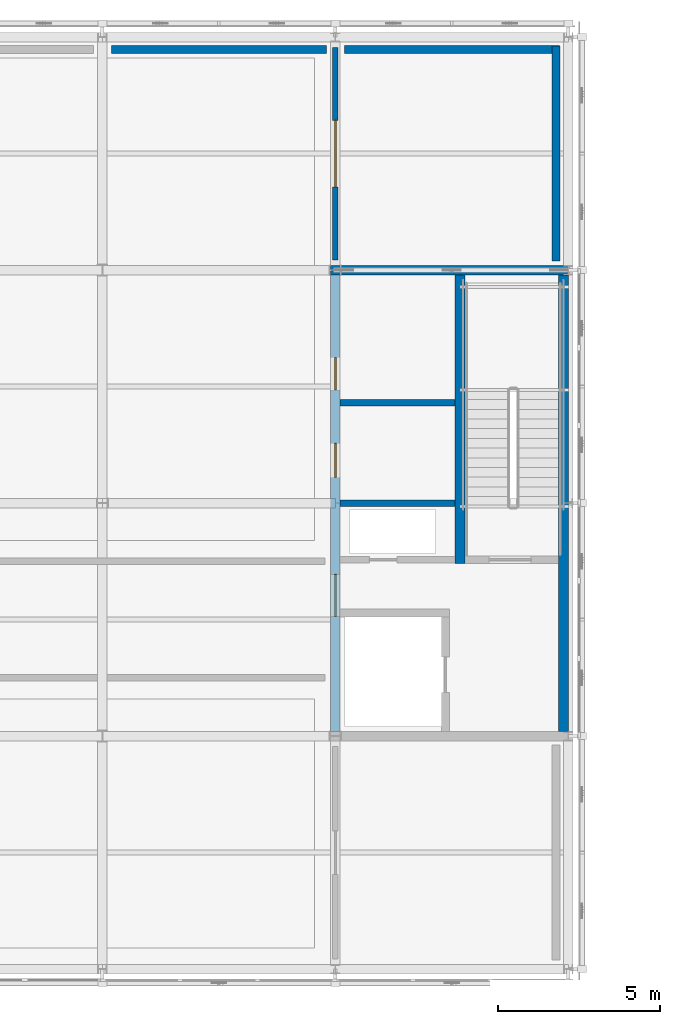
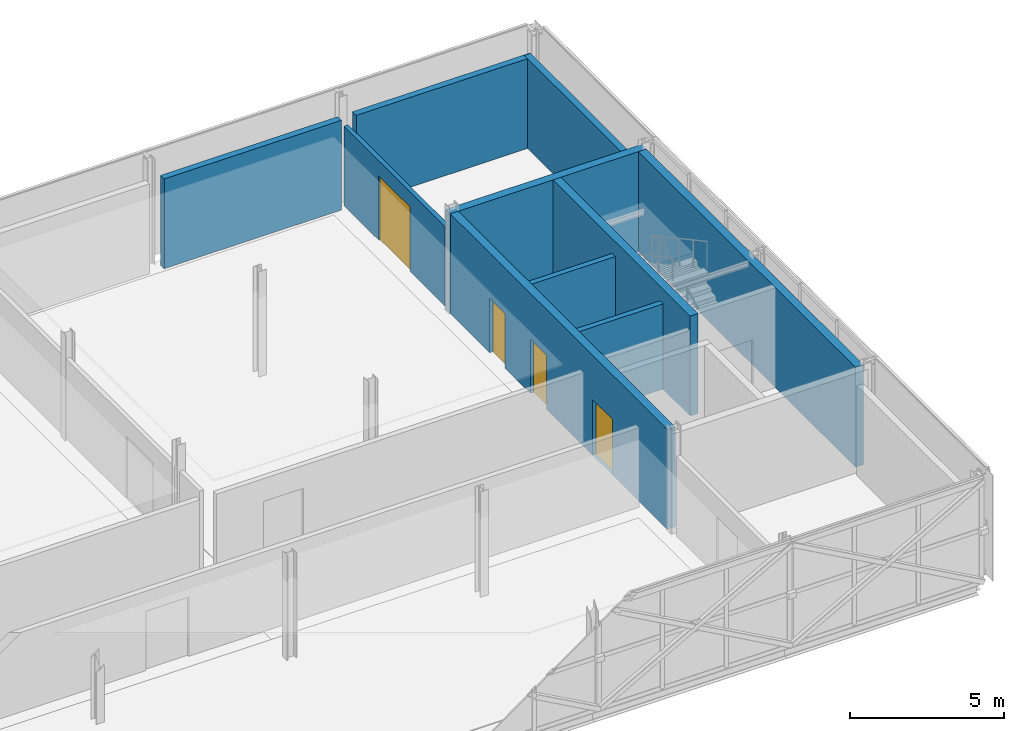
# One storey, part 90 of 103: 10 walls, 4 doors, 4 openings.
"""IFC4 building model written with IfcOpenShell, lengths in metres."""

import ifcopenshell
import ifcopenshell.guid

model = None  # the IFC model being written
_history = None  # IfcOwnerHistory: only IFC2X3 demands one
_inside = {}  # id of a spatial element -> (the spatial element, [elements in it])
_under = {}  # id of a project, library or spatial element -> (it, [spatial elements below it])
_declared = {}  # id of a project -> (the project, [libraries it declares])
_typed = {}  # id of a type object -> (the type object, [elements of that type])
_made_of = {}  # id of a material, layer set ... -> (it, [elements and type objects made of it])


def new_model(schema):
    """Start an empty IFC model of exactly this schema.

    Asked for "IFC4X3", IfcOpenShell would pick the latest addendum, in which some entities
    have other attributes; the version numbers below select the first issue.
    IFC2X3 requires an IfcOwnerHistory on every rooted entity: one is made here for all.
    """
    global model, _history
    if schema == "IFC4X3":
        model = ifcopenshell.file(schema_version=(4, 3, 0, 0))
    else:
        model = ifcopenshell.file(schema=schema)
    _inside.clear()
    _under.clear()
    _declared.clear()
    _typed.clear()
    _made_of.clear()
    _history = None
    if model.schema == "IFC2X3":
        org = make("IfcOrganization", Name="unknown")
        user = make(
            "IfcPersonAndOrganization",
            ThePerson=make("IfcPerson", FamilyName="unknown"),
            TheOrganization=org,
        )
        app = make(
            "IfcApplication",
            ApplicationDeveloper=org,
            Version="unknown",
            ApplicationFullName="unknown",
            ApplicationIdentifier="unknown",
        )
        _history = make(
            "IfcOwnerHistory",
            OwningUser=user,
            OwningApplication=app,
            ChangeAction="ADDED",
            CreationDate=0,
        )
    return model


def make(cls, **values):
    """One entity of the class cls with the attributes given. An attribute that is None is left unset."""
    return model.create_entity(
        cls, **{name: value for name, value in values.items() if value is not None}
    )


def rooted(cls, **values):
    """An entity with a GlobalId (a new one), such as an element, a storey or a relation."""
    return make(cls, GlobalId=ifcopenshell.guid.new(), OwnerHistory=_history, **values)


def si_unit(unit_type, name, prefix=None):
    """IfcSIUnit, for example si_unit("LENGTHUNIT", "METRE", prefix="MILLI")."""
    return make("IfcSIUnit", UnitType=unit_type, Prefix=prefix, Name=name)


def assignment(units):
    """IfcUnitAssignment: the units of a project."""
    return None if units is None else make("IfcUnitAssignment", Units=units)


def point(xyz):
    """IfcCartesianPoint."""
    return None if xyz is None else make("IfcCartesianPoint", Coordinates=xyz)


def direction(xyz):
    """IfcDirection."""
    return None if xyz is None else make("IfcDirection", DirectionRatios=xyz)


def frame(location, z_axis=None, x_axis=None):
    """IfcAxis2Placement3D, a coordinate frame: its origin and axes. An axis left out is left unset."""
    return make(
        "IfcAxis2Placement3D",
        Location=point(location),
        Axis=direction(z_axis),
        RefDirection=direction(x_axis),
    )


def frame_2d(location, x_axis=None):
    """IfcAxis2Placement2D, a coordinate frame in the plane: its origin and x axis."""
    return make(
        "IfcAxis2Placement2D", Location=point(location), RefDirection=direction(x_axis)
    )


def origin():
    """The frame at (0, 0, 0) with its axes left unset."""
    return frame((0.0, 0.0, 0.0))


def place(relative_to, where):
    """IfcLocalPlacement: puts the frame where relative to a parent placement (None: the world)."""
    return make(
        "IfcLocalPlacement", PlacementRelTo=relative_to, RelativePlacement=where
    )


def context(
    kind, dimensions, precision=None, world=None, true_north=None, identifier=None
):
    """IfcGeometricRepresentationContext, for example the 3D "Model" context."""
    return make(
        "IfcGeometricRepresentationContext",
        ContextIdentifier=identifier,
        ContextType=kind,
        CoordinateSpaceDimension=dimensions,
        Precision=precision,
        WorldCoordinateSystem=world,
        TrueNorth=true_north,
    )


def subcontext(parent, identifier, kind, view, scale=None):
    """IfcGeometricRepresentationSubContext, for example "Body" below "Model"."""
    return make(
        "IfcGeometricRepresentationSubContext",
        ContextIdentifier=identifier,
        ContextType=kind,
        ParentContext=parent,
        TargetScale=scale,
        TargetView=view,
    )


def project(units=None, contexts=None):
    """IfcProject with its units and contexts."""
    return rooted(
        "IfcProject",
        Name="project",
        RepresentationContexts=contexts,
        UnitsInContext=assignment(units),
    )


def spatial(cls, under=None, at=None, **own):
    """A site, building, storey or space (cls), placed at a placement, below another one or the project."""
    s = rooted(cls, ObjectPlacement=at, **own)
    if under is not None:
        _under.setdefault(under.id(), (under, []))[1].append(s)
    return s


def profile(cls, at=None, kind="AREA", **sizes):
    """A parametric profile (cls). Its sizes go by their IFC names, for example OverallWidth=200.0."""
    return make(cls, ProfileType=kind, Position=at, **sizes)


def rectangle(**sizes):
    """IfcRectangleProfileDef."""
    return profile("IfcRectangleProfileDef", **sizes)


def extrude(swept, where, along, depth):
    """IfcExtrudedAreaSolid: the profile swept, set in the frame where, extruded along a direction by depth."""
    return make(
        "IfcExtrudedAreaSolid",
        SweptArea=swept,
        Position=where,
        ExtrudedDirection=direction(along),
        Depth=depth,
    )


def shape(context_of_items, identifier, shape_type, items):
    """IfcShapeRepresentation: the items that make up one representation, for example the "Body"."""
    return make(
        "IfcShapeRepresentation",
        ContextOfItems=context_of_items,
        RepresentationIdentifier=identifier,
        RepresentationType=shape_type,
        Items=items,
    )


def material(Name=None, Category=None):
    """IfcMaterial."""
    return make("IfcMaterial", Name=Name, Category=Category)


def layer(
    of_material, thickness, ventilated=None, Name=None, Category=None, Priority=None
):
    """IfcMaterialLayer: one layer of a wall or slab, of a material (None: an air gap)."""
    return make(
        "IfcMaterialLayer",
        Material=of_material,
        LayerThickness=thickness,
        IsVentilated=ventilated,
        Name=Name,
        Category=Category,
        Priority=Priority,
    )


def layer_set(layers, Name=None):
    """IfcMaterialLayerSet."""
    return make("IfcMaterialLayerSet", MaterialLayers=layers, LayerSetName=Name)


def made_of(thing, what):
    """Note that an element or type object is made of a material, layer set ...; save() writes the relation."""
    if what is not None:
        _made_of.setdefault(what.id(), (what, []))[1].append(thing)
    return thing


def type_object(cls, material=None, **own):
    """A type object (cls), such as IfcWallType, which elements share."""
    return made_of(rooted(cls, **own), material)


def element(
    cls,
    number,
    at=None,
    inside=None,
    cuts=None,
    type_object=None,
    material=None,
    context=None,
    identifier="Body",
    shape_type=None,
    held_by="IfcProductDefinitionShape",
    body=None,
    shapes=None,
    **own,
):
    """One element of the class cls, such as IfcWall. Its Tag is "e" and its number.

    at: its placement. inside: the storey or other place that contains it. cuts: it is an
    opening in that element (IfcRelVoidsElement). A single representation is given by context,
    identifier, shape_type and body (its items); several are given by shapes. held_by: the class
    of the entity that holds the representations. save() writes the other relations.
    """
    e = rooted(cls, Tag="e%d" % number, ObjectPlacement=at, **own)
    if body is not None:
        shapes = [shape(context, identifier, shape_type, body)]
    if shapes is not None:
        e.Representation = make(held_by, Representations=shapes)
    if inside is not None:
        _inside.setdefault(inside.id(), (inside, []))[1].append(e)
    if cuts is not None:
        rooted(
            "IfcRelVoidsElement", RelatingBuildingElement=cuts, RelatedOpeningElement=e
        )
    if type_object is not None:
        _typed.setdefault(type_object.id(), (type_object, []))[1].append(e)
    return made_of(e, material)


def fill(opening, filler):
    """IfcRelFillsElement: the door or window that sits in an opening."""
    return rooted(
        "IfcRelFillsElement",
        RelatingOpeningElement=opening,
        RelatedBuildingElement=filler,
    )


def aggregate(whole, parts):
    """IfcRelAggregates: a whole, such as a stair, and the parts it consists of."""
    return rooted("IfcRelAggregates", RelatingObject=whole, RelatedObjects=parts)


def save(model, path):
    """Write the relations noted so far, then the file.

    IfcRelAggregates (storeys below a building ...), IfcRelContainedInSpatialStructure (elements
    in a storey), IfcRelDefinesByType, IfcRelAssociatesMaterial and IfcRelDeclares: one each for
    every whole, place, type object, material and project.
    """
    for whole, parts in _under.values():
        aggregate(whole, parts)
    for where, things in _inside.values():
        rooted(
            "IfcRelContainedInSpatialStructure",
            RelatedElements=things,
            RelatingStructure=where,
        )
    for kind, things in _typed.values():
        rooted("IfcRelDefinesByType", RelatedObjects=things, RelatingType=kind)
    for what, things in _made_of.values():
        rooted("IfcRelAssociatesMaterial", RelatedObjects=things, RelatingMaterial=what)
    for by, libraries in _declared.values():
        rooted("IfcRelDeclares", RelatingContext=by, RelatedDefinitions=libraries)
    model.write(path)


model = new_model("IFC4")

# Units and contexts
model_context = context("Model", 3, precision=1e-05, world=origin(), true_north=direction((0.0, 1.0)))
body_context = subcontext(model_context, "Body", "Model", "MODEL_VIEW")
ifc_project = project(units=[si_unit("LENGTHUNIT", "METRE"), si_unit("AREAUNIT", "SQUARE_METRE"), si_unit("VOLUMEUNIT", "CUBIC_METRE"), si_unit("PLANEANGLEUNIT", "RADIAN"), si_unit("MASSUNIT", "GRAM", prefix="KILO")], contexts=[model_context])

# Site, building, storey
site_placement = place(None, origin())
site = spatial("IfcSite", under=ifc_project, at=site_placement, CompositionType="ELEMENT")
building_placement = place(site_placement, origin())
building = spatial("IfcBuilding", under=site, at=building_placement, Name="Zlatovets Crest Museum", CompositionType="ELEMENT")
storey_placement = place(building_placement, frame((0.0, 0.0, 12.89990234375)))
storey = spatial("IfcBuildingStorey", under=building, at=storey_placement, Name="L03", CompositionType="ELEMENT", Elevation=12.89990234375)

# Walls
ifc_material_1 = material(Name="Concrete C35/45", Category="concrete")
ifc_layer_1 = layer(ifc_material_1, 0.300048828125)
ifc_layer_set_1 = layer_set([ifc_layer_1], Name="Concrete C35/45")
wall_type_1 = type_object("IfcWallType", Name="CoreWall_SW01", PredefinedType="SHEAR", material=ifc_layer_set_1)
wall_1_placement = place(storey_placement, frame((100.64990234375, 108.0, 0.0), z_axis=(0.0, 0.0, 1.0), x_axis=(1.0, 0.0, 0.0)))
element("IfcWall", 1, at=wall_1_placement, inside=storey, type_object=wall_type_1, Name="Core C6 L03 North Shear Wall", PredefinedType="SHEAR", context=body_context, shape_type="SweptSolid", body=[
    extrude(rectangle(XDim=7.35009765625, YDim=0.300048828125, at=frame_2d((3.675048828125, 0.0))), origin(), (0.0, 0.0, 1.0), 3.960205078125),
])
wall_2_placement = place(storey_placement, frame((107.85009765625, 93.75, 0.0), z_axis=(0.0, 0.0, 1.0), x_axis=(0.0, 1.0, 0.0)))
element("IfcWall", 2, at=wall_2_placement, inside=storey, type_object=wall_type_1, Name="Core C6 L03 Perimeter Shear Wall", PredefinedType="SHEAR", context=body_context, shape_type="SweptSolid", body=[
    extrude(rectangle(XDim=14.10009765625, YDim=0.300048828125, at=frame_2d((7.050048828125, 0.0))), origin(), (0.0, 0.0, 1.0), 3.960205078125),
])

# Wall, openings, doors
wall_3_placement = place(storey_placement, frame((100.800048828125, 93.75, 0.0), z_axis=(0.0, 0.0, 1.0), x_axis=(0.0, 1.0, 0.0)))
wall_3 = element("IfcWall", 3, at=wall_3_placement, inside=storey, type_object=wall_type_1, Name="Core C6 L03 Spine Shear Wall", PredefinedType="SHEAR", context=body_context, shape_type="SweptSolid", body=[
    extrude(rectangle(XDim=14.10009765625, YDim=0.300048828125, at=frame_2d((7.050048828125, 0.0))), origin(), (0.0, 0.0, 1.0), 3.960205078125),
])
opening_1_placement = place(wall_3_placement, frame((3.550048828125, 0.0, 0.0)))
opening_1 = element("IfcOpeningElement", 4, at=opening_1_placement, cuts=wall_3, Name="Opening FD-01", PredefinedType="OPENING", context=body_context, shape_type="SweptSolid", body=[
    extrude(rectangle(XDim=1.300048828125, YDim=2.199951171875, at=frame_2d((0.64990234375, 1.10009765625))), frame((0.0, 0.16015625, 0.0), z_axis=(0.0, -1.0, 0.0), x_axis=(1.0, 0.0, 0.0)), (0.0, 0.0, 1.0), 0.320068359375),
])
opening_2_placement = place(wall_3_placement, frame((7.85009765625, 0.0, 0.0)))
opening_2 = element("IfcOpeningElement", 5, at=opening_2_placement, cuts=wall_3, Name="Opening ID-02", PredefinedType="OPENING", context=body_context, shape_type="SweptSolid", body=[
    extrude(rectangle(XDim=1.050048828125, YDim=2.14990234375, at=frame_2d((0.52490234375, 1.074951171875))), frame((0.0, 0.16015625, 0.0), z_axis=(0.0, -1.0, 0.0), x_axis=(1.0, 0.0, 0.0)), (0.0, 0.0, 1.0), 0.320068359375),
])
opening_3_placement = place(wall_3_placement, frame((10.550048828125, 0.0, 0.0)))
opening_3 = element("IfcOpeningElement", 6, at=opening_3_placement, cuts=wall_3, Name="Opening ID-01", PredefinedType="OPENING", context=body_context, shape_type="SweptSolid", body=[
    extrude(rectangle(XDim=1.0, YDim=2.14990234375, at=frame_2d((0.5, 1.074951171875))), frame((0.0, 0.16015625, 0.0), z_axis=(0.0, -1.0, 0.0), x_axis=(1.0, 0.0, 0.0)), (0.0, 0.0, 1.0), 0.320068359375),
])
ifc_material_2 = material(Name="Smoke-sealed steel fire door", Category="steel")
door_type_1 = type_object("IfcDoorType", Name="IntDoor_FD-01", OperationType="NOTDEFINED", PredefinedType="DOOR", material=ifc_material_2)
door_1_placement = place(opening_1_placement, origin())
door_1 = element("IfcDoor", 7, at=door_1_placement, inside=storey, type_object=door_type_1, Name="CDOOR-C6-L03-LOB Core C6 L03 Lobby Fire Door", OperationType="SINGLE_SWING_LEFT", OverallHeight=2.199951171875, OverallWidth=1.300048828125, PredefinedType="DOOR", context=body_context, shape_type="SweptSolid", body=[
    extrude(rectangle(XDim=1.300048828125, YDim=2.199951171875, at=frame_2d((0.64990234375, 1.10009765625))), frame((0.0, 0.02490234375, 0.0), z_axis=(0.0, -1.0, 0.0), x_axis=(1.0, 0.0, 0.0)), (0.0, 0.0, 1.0), 0.050048828125),
])
fill(opening_1, door_1)
ifc_material_3 = material(Name="Solid oak museum room door")
door_type_2 = type_object("IfcDoorType", Name="IntDoor_ID-01", OperationType="NOTDEFINED", PredefinedType="DOOR", material=ifc_material_3)
door_2_placement = place(opening_3_placement, origin())
door_2 = element("IfcDoor", 8, at=door_2_placement, inside=storey, type_object=door_type_2, Name="CDOOR-C6-L03-WC Core C6 L03 Public Restroom Door", OperationType="SINGLE_SWING_RIGHT", OverallHeight=2.14990234375, OverallWidth=1.0, PredefinedType="DOOR", context=body_context, shape_type="SweptSolid", body=[
    extrude(rectangle(XDim=1.0, YDim=2.14990234375, at=frame_2d((0.5, 1.074951171875))), frame((0.0, 0.02490234375, 0.0), z_axis=(0.0, -1.0, 0.0), x_axis=(1.0, 0.0, 0.0)), (0.0, 0.0, 1.0), 0.050048828125),
])
fill(opening_3, door_2)
ifc_material_4 = material(Name="Accessible sanitary room door")
door_type_3 = type_object("IfcDoorType", Name="IntDoor_ID-02", OperationType="NOTDEFINED", PredefinedType="DOOR", material=ifc_material_4)
door_3_placement = place(opening_2_placement, origin())
door_3 = element("IfcDoor", 9, at=door_3_placement, inside=storey, type_object=door_type_3, Name="CDOOR-C6-L03-AWC Core C6 L03 Accessible WC Door", OperationType="SINGLE_SWING_LEFT", OverallHeight=2.14990234375, OverallWidth=1.050048828125, PredefinedType="DOOR", context=body_context, shape_type="SweptSolid", body=[
    extrude(rectangle(XDim=1.050048828125, YDim=2.14990234375, at=frame_2d((0.52490234375, 1.074951171875))), frame((0.0, 0.02490234375, 0.0), z_axis=(0.0, -1.0, 0.0), x_axis=(1.0, 0.0, 0.0)), (0.0, 0.0, 1.0), 0.050048828125),
])
fill(opening_2, door_3)

# Walls
wall_4_placement = place(storey_placement, frame((104.64990234375, 98.93994140625, 0.0), z_axis=(0.0, 0.0, 1.0), x_axis=(0.0, 1.0, 0.0)))
element("IfcWall", 10, at=wall_4_placement, inside=storey, type_object=wall_type_1, Name="Core C6 L03 Stair Divider Wall", PredefinedType="SHEAR", context=body_context, shape_type="SweptSolid", body=[
    extrude(rectangle(XDim=8.91015625, YDim=0.300048828125, at=frame_2d((4.455078125, 0.0))), origin(), (0.0, 0.0, 1.0), 3.960205078125),
])
ifc_material_5 = material(Name="Insulated gallery conservation liner wall", Category="concrete")
ifc_layer_2 = layer(ifc_material_5, 0.300048828125)
ifc_layer_set_2 = layer_set([ifc_layer_2], Name="Insulated gallery conservation liner wall")
wall_type_2 = type_object("IfcWallType", Name="ExtWall_EW-02", PredefinedType="STANDARD", material=ifc_layer_set_2)
for number, where, z_axis, x_axis, name in (
    (11, (107.6201171875, 108.280029296875, 0.0), (0.0, 0.0, 1.0), (0.0, 1.0, 0.0), "V1 L03 Interior Conservation Gallery Liner Wall"),
    (12, (107.719970703125, 114.820068359375, 0.0), (0.0, 0.0, 1.0), (-1.0, 0.0, 0.0), "V1 L03 Interior Conservation Gallery Liner Wall"),
):
    element("IfcWall", number, at=place(storey_placement, frame(where, z_axis=z_axis, x_axis=x_axis)), inside=storey, type_object=wall_type_2, Name=name, PredefinedType="STANDARD", context=body_context, shape_type="SweptSolid", body=[
        extrude(rectangle(XDim=6.639892578125, YDim=0.239990234375, at=frame_2d((3.31982421875, 0.0))), origin(), (0.0, 0.0, 1.0), 3.56005859375),
    ])
wall_5_placement = place(storey_placement, frame((100.52001953125, 114.820068359375, 0.0), z_axis=(0.0, 0.0, 1.0), x_axis=(-1.0, 0.0, 0.0)))
element("IfcWall", 13, at=wall_5_placement, inside=storey, type_object=wall_type_2, Name="V1 L03 Interior Conservation Gallery Liner Wall", PredefinedType="STANDARD", context=body_context, shape_type="SweptSolid", body=[
    extrude(rectangle(XDim=6.64013671875, YDim=0.239990234375, at=frame_2d((3.320068359375, 0.0))), origin(), (0.0, 0.0, 1.0), 3.56005859375),
])

# Wall, opening, door
ifc_material_6 = material(Name="Acoustic museum gallery stud partition")
ifc_layer_3 = layer(ifc_material_6, 0.159912109375)
ifc_layer_set_3 = layer_set([ifc_layer_3], Name="Acoustic museum gallery stud partition")
wall_type_3 = type_object("IfcWallType", Name="PartWall_PT-02", PredefinedType="PARTITIONING", material=ifc_layer_set_3)
wall_6_placement = place(storey_placement, frame((100.800048828125, 108.320068359375, 0.0), z_axis=(0.0, 0.0, 1.0), x_axis=(0.0, 1.0, 0.0)))
wall_6 = element("IfcWall", 14, at=wall_6_placement, inside=storey, type_object=wall_type_3, Name="V1 L03 Interior Partition PT-02", PredefinedType="PARTITIONING", context=body_context, shape_type="SweptSolid", body=[
    extrude(rectangle(XDim=6.559814453125, YDim=0.159912109375, at=frame_2d((3.27978515625, 0.0))), origin(), (0.0, 0.0, 1.0), 3.150146484375),
])
opening_4_placement = place(wall_6_placement, frame((2.2548828125, 0.0, 0.0)))
opening_4 = element("IfcOpeningElement", 15, at=opening_4_placement, cuts=wall_6, Name="Opening ID-16", PredefinedType="OPENING", context=body_context, shape_type="SweptSolid", body=[
    extrude(rectangle(XDim=2.050048828125, YDim=2.550048828125, at=frame_2d((1.02490234375, 1.27490234375))), frame((0.0, 0.08984375, 0.0), z_axis=(0.0, -1.0, 0.0), x_axis=(1.0, 0.0, 0.0)), (0.0, 0.0, 1.0), 0.179931640625),
])
ifc_material_7 = material(Name="Grand sculpture salon double portal")
door_type_4 = type_object("IfcDoorType", Name="IntDoor_ID-16", OperationType="DOUBLE_DOOR_SINGLE_SWING", PredefinedType="DOOR", material=ifc_material_7)
door_4_placement = place(opening_4_placement, origin())
door_4 = element("IfcDoor", 16, at=door_4_placement, inside=storey, type_object=door_type_4, Name="IDOOR-V1-L03-0188 Graphic and Woodcut Cabinet to Lithography Study Room Door", OperationType="DOUBLE_DOOR_SINGLE_SWING", OverallHeight=2.550048828125, OverallWidth=2.050048828125, PredefinedType="DOOR", context=body_context, shape_type="SweptSolid", body=[
    extrude(rectangle(XDim=2.050048828125, YDim=2.550048828125, at=frame_2d((1.02490234375, 1.27490234375))), frame((0.0, 0.02490234375, 0.0), z_axis=(0.0, -1.0, 0.0), x_axis=(1.0, 0.0, 0.0)), (0.0, 0.0, 1.0), 0.050048828125),
])
fill(opening_4, door_4)

# Walls
ifc_material_8 = material(Name="Sanitary core acoustic service wall")
ifc_layer_4 = layer(ifc_material_8, 0.219970703125)
ifc_layer_set_4 = layer_set([ifc_layer_4], Name="Sanitary core acoustic service wall")
wall_type_4 = type_object("IfcWallType", Name="PartWall_PT-04", PredefinedType="PLUMBINGWALL", material=ifc_layer_set_4)
for number, where, z_axis, x_axis, name in (
    (17, (100.949951171875, 100.800048828125, 0.0), (0.0, 0.0, 1.0), (1.0, 0.0, 0.0), "Core C6 L03 Sanitary Divider"),
    (18, (100.949951171875, 103.89990234375, 0.0), (0.0, 0.0, 1.0), (1.0, 0.0, 0.0), "Core C6 L03 Sanitary Divider"),
):
    element("IfcWall", number, at=place(storey_placement, frame(where, z_axis=z_axis, x_axis=x_axis)), inside=storey, type_object=wall_type_4, Name=name, PredefinedType="PLUMBINGWALL", context=body_context, shape_type="SweptSolid", body=[
        extrude(rectangle(XDim=3.550048828125, YDim=0.199951171875, at=frame_2d((1.77490234375, 0.0))), origin(), (0.0, 0.0, 1.0), 3.380126953125),
    ])

save(model, "model.ifc")
